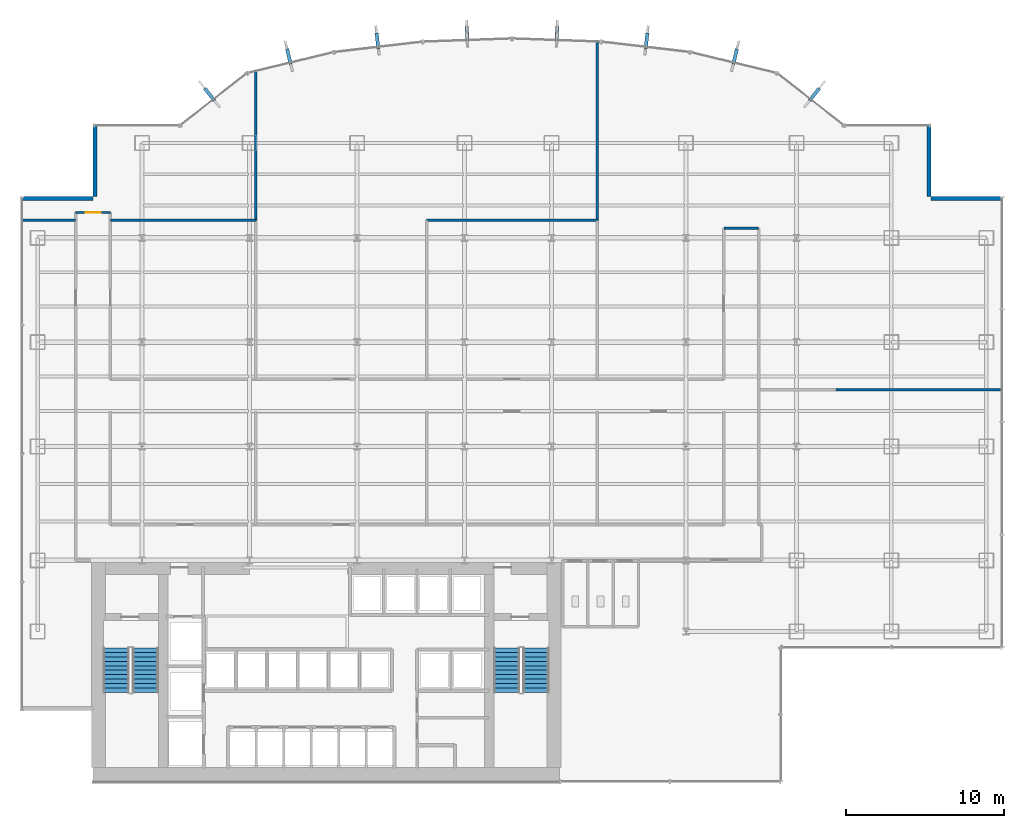
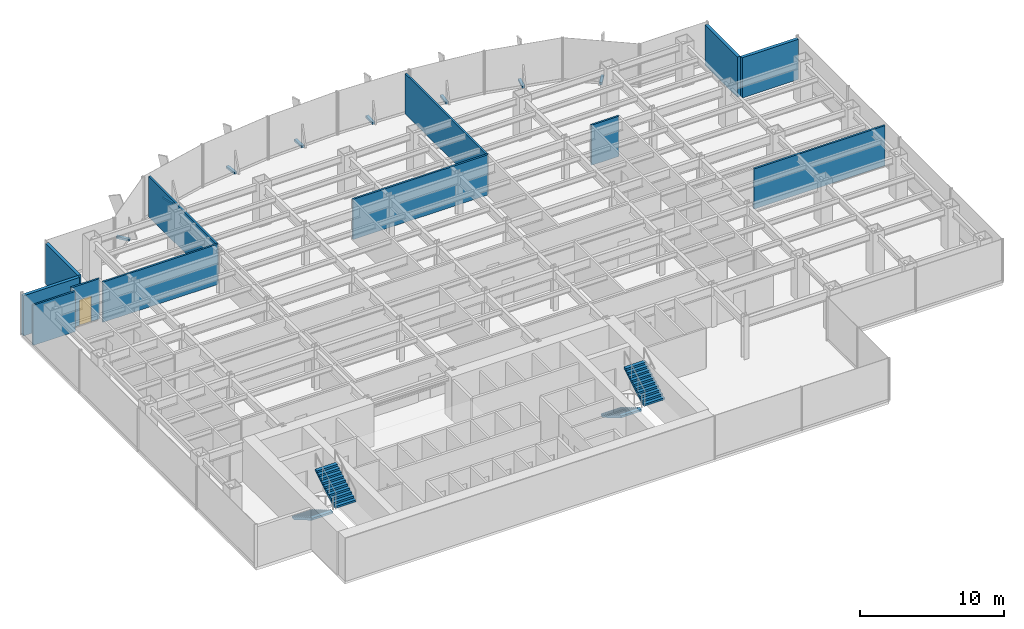
# One storey, part 19 of 22: 12 walls, 8 discrete accessories, 4 stair flights, 1 door, 1 opening, 2 elements without a shape of their own.
"""IFC4 building model written with IfcOpenShell, lengths in metres."""

from ifc_helpers import new_model, si_unit, derived_unit, direction, frame, frame_2d, origin, origin_2d, place, context, subcontext, project, spatial, polyline, rectangle, outline, extrude, source, transform, mapped, material, layer, layer_set, type_object, element, fill, aggregate, save


model = new_model("IFC4")

# Units and contexts
model_context = context("Model", 3, precision=1e-05, world=origin(), true_north=direction((0.0, 1.0)))
body_context = subcontext(model_context, "Body", "Model", "MODEL_VIEW")
ifc_project = project(units=[si_unit("LENGTHUNIT", "METRE"), si_unit("AREAUNIT", "SQUARE_METRE"), si_unit("VOLUMEUNIT", "CUBIC_METRE"), si_unit("PLANEANGLEUNIT", "RADIAN"), si_unit("MASSUNIT", "GRAM", prefix="KILO"), derived_unit("THERMALTRANSMITTANCEUNIT", [(si_unit("POWERUNIT", "WATT"), 1), (si_unit("LENGTHUNIT", "METRE"), -2), (si_unit("THERMODYNAMICTEMPERATUREUNIT", "KELVIN"), -1)])], contexts=[model_context])

# Site, building, storey
site_placement = place(None, origin())
site = spatial("IfcSite", under=ifc_project, at=site_placement, CompositionType="ELEMENT")
building_placement = place(site_placement, origin())
building = spatial("IfcBuilding", under=site, at=building_placement, Name="Skarnbrae Concourse Arena and Tower", CompositionType="ELEMENT")
storey_placement = place(building_placement, frame((0.0, 0.0, 69.0)))
storey = spatial("IfcBuildingStorey", under=building, at=storey_placement, Name="L16", CompositionType="ELEMENT", Elevation=69.0)

# Walls
ifc_material_1 = material(Name="Precast concrete 40 MPa (C40/50)", Category="concrete")
ifc_layer_1 = layer(ifc_material_1, 0.25)
ifc_layer_set_1 = layer_set([ifc_layer_1], Name="Precast concrete 40 MPa (C40/50)")
wall_type_1 = type_object("IfcWallType", Name="WALL-EXT-SPANDREL-250", PredefinedType="STANDARD", material=ifc_layer_set_1)
shared_shape_1 = source(origin(), body_context, "Body", "SweptSolid", [
    extrude(rectangle(XDim=4.5, YDim=0.25, at=frame_2d((2.25, 0.0))), origin(), (0.0, 0.0, 1.0), 3.39990234375),
])
for number, where, z_axis, x_axis, name in (
    (1, (62.0, 36.875, 0.0), (0.0, 0.0, 1.0), (-1.0, 0.0, 0.0), "L16 Notched corner insulated return wall 05"),
    (2, (57.375, 37.0, 0.0), (0.0, 0.0, 1.0), (0.0, 1.0, 0.0), "L16 Notched corner insulated return wall 06"),
    (3, (4.625, 41.5, 0.0), (0.0, 0.0, 1.0), (0.0, -1.0, 0.0), "L16 Notched corner insulated return wall 17"),
    (4, (4.5, 36.875, 0.0), (0.0, 0.0, 1.0), (-1.0, 0.0, 0.0), "L16 Notched corner insulated return wall 18"),
):
    element("IfcWall", number, at=place(storey_placement, frame(where, z_axis=z_axis, x_axis=x_axis)), inside=storey, type_object=wall_type_1, Name=name, PredefinedType="STANDARD", context=body_context, shape_type="MappedRepresentation", body=[
        mapped(shared_shape_1, transform((0.0, 0.0, 0.0))),
    ])

# Wall, opening, door
ifc_material_2 = material(Name="Gypsum board on cold-formed steel studs", Category="steel")
ifc_layer_2 = layer(ifc_material_2, 0.14990234375)
ifc_layer_set_2 = layer_set([ifc_layer_2], Name="Gypsum board on cold-formed steel studs")
wall_type_2 = type_object("IfcWallType", Name="WALL-PART-150-1HR", PredefinedType="PARTITIONING", material=ifc_layer_set_2)
shared_shape_2 = source(origin(), body_context, "Body", "SweptSolid", [
    extrude(rectangle(XDim=2.2001953125, YDim=0.14990234375, at=frame_2d((1.10009765625, 0.0))), origin(), (0.0, 0.0, 1.0), 3.39990234375),
])
wall_1_placement = place(storey_placement, frame((3.39990234375, 36.0, 0.0), z_axis=(0.0, 0.0, 1.0), x_axis=(1.0, 0.0, 0.0)))
wall_1 = element("IfcWall", 5, at=wall_1_placement, inside=storey, type_object=wall_type_2, Name="L16 Interior partition wall W-L16-COR-06", PredefinedType="PARTITIONING", context=body_context, shape_type="MappedRepresentation", body=[
    mapped(shared_shape_2, transform((0.0, 0.0, 0.0))),
])
opening_placement = place(wall_1_placement, frame((0.625, 0.0, 0.0)))
opening = element("IfcOpeningElement", 6, at=opening_placement, cuts=wall_1, Name="Opening DT-04", PredefinedType="OPENING", context=body_context, shape_type="SweptSolid", body=[
    extrude(rectangle(XDim=0.949951171875, YDim=2.14990234375, at=frame_2d((0.47509765625, 1.074951171875))), frame((0.0, 0.0849609375, 0.0), z_axis=(0.0, -1.0, 0.0), x_axis=(1.0, 0.0, 0.0)), (0.0, 0.0, 1.0), 0.169921875),
])
ifc_material_3 = material(Name="Steel CSA G40.21 350W", Category="steel")
door_type = type_object("IfcDoorType", Name="DOOR-INT-950-45M", OperationType="NOTDEFINED", PredefinedType="DOOR", material=ifc_material_3)
shared_shape_3 = source(origin(), body_context, "Body", "SweptSolid", [
    extrude(rectangle(XDim=0.949951171875, YDim=2.14990234375, at=frame_2d((0.47509765625, 1.074951171875))), frame((0.0, 0.02490234375, 0.0), z_axis=(0.0, -1.0, 0.0), x_axis=(1.0, 0.0, 0.0)), (0.0, 0.0, 1.0), 0.050048828125),
])
door_placement = place(opening_placement, origin())
door = element("IfcDoor", 7, at=door_placement, inside=storey, type_object=door_type, Name="D-0621 L16 Suite Door 02", OperationType="SINGLE_SWING_LEFT", OverallHeight=2.14990234375, OverallWidth=0.949951171875, PredefinedType="DOOR", context=body_context, shape_type="MappedRepresentation", body=[
    mapped(shared_shape_3, transform((0.0, 0.0, 0.0))),
])
fill(opening, door)

# Walls
wall_2_placement = place(storey_placement, frame((44.39990234375, 35.0, 0.0), z_axis=(0.0, 0.0, 1.0), x_axis=(1.0, 0.0, 0.0)))
element("IfcWall", 8, at=wall_2_placement, inside=storey, type_object=wall_type_2, Name="L16 Interior partition wall W-L16-COR-10", PredefinedType="PARTITIONING", context=body_context, shape_type="MappedRepresentation", body=[
    mapped(shared_shape_2, transform((0.0, 0.0, 0.0))),
])
ifc_layer_3 = layer(ifc_material_2, 0.14990234375)
ifc_layer_set_3 = layer_set([ifc_layer_3], Name="Gypsum board on cold-formed steel studs")
wall_type_3 = type_object("IfcWallType", Name="WALL-PART-150", PredefinedType="PARTITIONING", material=ifc_layer_set_3)
shared_shape_4 = source(origin(), body_context, "Body", "SweptSolid", [
    extrude(rectangle(XDim=3.3798828125, YDim=0.14990234375, at=frame_2d((1.68994140625, 0.0))), origin(), (0.0, 0.0, 1.0), 3.39990234375),
])
wall_3_placement = place(storey_placement, frame((0.02001953125, 35.5, 0.0), z_axis=(0.0, 0.0, 1.0), x_axis=(1.0, 0.0, 0.0)))
element("IfcWall", 9, at=wall_3_placement, inside=storey, type_object=wall_type_3, Name="L16 Interior partition wall W-L16-DEM-21", PredefinedType="PARTITIONING", context=body_context, shape_type="MappedRepresentation", body=[
    mapped(shared_shape_4, transform((0.0, 0.0, 0.0))),
])
shared_shape_5 = source(origin(), body_context, "Body", "SweptSolid", [
    extrude(rectangle(XDim=9.199951171875, YDim=0.14990234375, at=frame_2d((4.60009765625, 0.0))), origin(), (0.0, 0.0, 1.0), 3.39990234375),
])
wall_4_placement = place(storey_placement, frame((14.800048828125, 35.5, 0.0), z_axis=(0.0, 0.0, 1.0), x_axis=(-1.0, 0.0, 0.0)))
element("IfcWall", 10, at=wall_4_placement, inside=storey, type_object=wall_type_3, Name="L16 Interior partition wall W-L16-DEM-22", PredefinedType="PARTITIONING", context=body_context, shape_type="MappedRepresentation", body=[
    mapped(shared_shape_5, transform((0.0, 0.0, 0.0))),
])
shared_shape_6 = source(origin(), body_context, "Body", "SweptSolid", [
    extrude(rectangle(XDim=9.427978515625, YDim=0.14990234375, at=frame_2d((4.7138671875, 0.0))), origin(), (0.0, 0.0, 1.0), 3.39990234375),
])
wall_5_placement = place(storey_placement, frame((14.800048828125, 44.927978515625, 0.0), z_axis=(0.0, 0.0, 1.0), x_axis=(0.0, -1.0, 0.0)))
element("IfcWall", 11, at=wall_5_placement, inside=storey, type_object=wall_type_3, Name="L16 Interior partition wall W-L16-DEM-25", PredefinedType="PARTITIONING", context=body_context, shape_type="MappedRepresentation", body=[
    mapped(shared_shape_6, transform((0.0, 0.0, 0.0))),
])
shared_shape_7 = source(origin(), body_context, "Body", "SweptSolid", [
    extrude(rectangle(XDim=10.7998046875, YDim=0.14990234375, at=frame_2d((5.39990234375, 0.0))), origin(), (0.0, 0.0, 1.0), 3.39990234375),
])
wall_6_placement = place(storey_placement, frame((36.39990234375, 35.5, 0.0), z_axis=(0.0, 0.0, 1.0), x_axis=(-1.0, 0.0, 0.0)))
element("IfcWall", 12, at=wall_6_placement, inside=storey, type_object=wall_type_3, Name="L16 Interior partition wall W-L16-DEM-27", PredefinedType="PARTITIONING", context=body_context, shape_type="MappedRepresentation", body=[
    mapped(shared_shape_7, transform((0.0, 0.0, 0.0))),
])
shared_shape_8 = source(origin(), body_context, "Body", "SweptSolid", [
    extrude(rectangle(XDim=11.285888671875, YDim=0.14990234375, at=frame_2d((5.64306640625, 0.0))), origin(), (0.0, 0.0, 1.0), 3.39990234375),
])
wall_7_placement = place(storey_placement, frame((36.39990234375, 46.785888671875, 0.0), z_axis=(0.0, 0.0, 1.0), x_axis=(0.0, -1.0, 0.0)))
element("IfcWall", 13, at=wall_7_placement, inside=storey, type_object=wall_type_3, Name="L16 Interior partition wall W-L16-DEM-31", PredefinedType="PARTITIONING", context=body_context, shape_type="MappedRepresentation", body=[
    mapped(shared_shape_8, transform((0.0, 0.0, 0.0))),
])
shared_shape_9 = source(origin(), body_context, "Body", "SweptSolid", [
    extrude(rectangle(XDim=10.47998046875, YDim=0.14990234375, at=frame_2d((5.239990234375, 0.0))), origin(), (0.0, 0.0, 1.0), 3.39990234375),
])
wall_8_placement = place(storey_placement, frame((61.97998046875, 24.800048828125, 0.0), z_axis=(0.0, 0.0, 1.0), x_axis=(-1.0, 0.0, 0.0)))
element("IfcWall", 14, at=wall_8_placement, inside=storey, type_object=wall_type_3, Name="L16 Interior partition wall W-L16-DEM-32", PredefinedType="PARTITIONING", context=body_context, shape_type="MappedRepresentation", body=[
    mapped(shared_shape_9, transform((0.0, 0.0, 0.0))),
])

# Stair, stair flights
ifc_material_4 = material(Name="Concrete 40 MPa (C40/50)", Category="concrete")
stair_type = type_object("IfcStairType", Name="STAIR-DOGLEG-1650", PredefinedType="HALF_TURN_STAIR", material=ifc_material_4)
stair_1_placement = place(storey_placement, origin())
stair_1 = element("IfcStair", 15, at=stair_1_placement, inside=storey, type_object=stair_type, Name="L16 Protected Exit Stair ST-1", PredefinedType="HALF_TURN_STAIR")
stair_flight_type = type_object("IfcStairFlightType", Name="FLIGHT-STRAIGHT-1650", PredefinedType="STRAIGHT", material=ifc_material_4)
shared_shape_10 = source(origin(), body_context, "Body", "SweptSolid", [
    extrude(outline(polyline([(0.0, 0.0), (0.0, 0.166015625), (0.280029296875, 0.166015625), (0.280029296875, 0.331787109375), (0.56005859375, 0.331787109375), (0.56005859375, 0.497802734375), (0.840087890625, 0.497802734375), (0.840087890625, 0.66357421875), (1.1201171875, 0.66357421875), (1.1201171875, 0.82958984375), (1.39990234375, 0.82958984375), (1.39990234375, 0.995361328125), (1.679931640625, 0.995361328125), (1.679931640625, 1.161376953125), (1.9599609375, 1.161376953125), (1.9599609375, 1.327392578125), (2.239990234375, 1.327392578125), (2.239990234375, 1.4931640625), (2.52001953125, 1.4931640625), (2.52001953125, 1.6591796875), (2.800048828125, 1.6591796875), (2.800048828125, 1.824951171875), (2.800048828125, 1.48486328125), (0.2939453125, 0.0), (0.0, 0.0)])), frame((0.0, 0.824951171875, 0.0), z_axis=(0.0, -1.0, 0.0), x_axis=(1.0, 0.0, 0.0)), (0.0, 0.0, 1.0), 1.64990234375),
])
stair_flight_1_placement = place(storey_placement, frame((5.97509765625, 8.449951171875, 0.0), z_axis=(0.0, 0.0, 1.0), x_axis=(0.0, -1.0, 0.0)))
stair_flight_1 = element("IfcStairFlight", 16, at=stair_flight_1_placement, type_object=stair_flight_type, Name="ST-1 flight 1", NumberOfRisers=11, NumberOfTreads=10, PredefinedType="STRAIGHT", RiserHeight=0.165909091, TreadLength=0.28, context=body_context, shape_type="MappedRepresentation", body=[
    mapped(shared_shape_10, transform((0.0, 0.0, 0.0))),
])
stair_flight_2_placement = place(storey_placement, frame((7.824951171875, 5.64990234375, 1.824951171875), z_axis=(0.0, 0.0, 1.0), x_axis=(0.0, 1.0, 0.0)))
stair_flight_2 = element("IfcStairFlight", 17, at=stair_flight_2_placement, type_object=stair_flight_type, Name="ST-1 flight 2", NumberOfRisers=11, NumberOfTreads=10, PredefinedType="STRAIGHT", RiserHeight=0.165909091, TreadLength=0.28, context=body_context, shape_type="MappedRepresentation", body=[
    mapped(shared_shape_10, transform((0.0, 0.0, 0.0))),
])
aggregate(stair_1, [stair_flight_1, stair_flight_2])

stair_2_placement = place(storey_placement, origin())
stair_2 = element("IfcStair", 18, at=stair_2_placement, inside=storey, type_object=stair_type, Name="L16 Protected Exit Stair ST-2", PredefinedType="HALF_TURN_STAIR")
stair_flight_3_placement = place(storey_placement, frame((30.675048828125, 8.449951171875, 0.0), z_axis=(0.0, 0.0, 1.0), x_axis=(0.0, -1.0, 0.0)))
stair_flight_3 = element("IfcStairFlight", 19, at=stair_flight_3_placement, type_object=stair_flight_type, Name="ST-2 flight 1", NumberOfRisers=11, NumberOfTreads=10, PredefinedType="STRAIGHT", RiserHeight=0.165909091, TreadLength=0.28, context=body_context, shape_type="MappedRepresentation", body=[
    mapped(shared_shape_10, transform((0.0, 0.0, 0.0))),
])
stair_flight_4_placement = place(storey_placement, frame((32.52490234375, 5.64990234375, 1.824951171875), z_axis=(0.0, 0.0, 1.0), x_axis=(0.0, 1.0, 0.0)))
stair_flight_4 = element("IfcStairFlight", 20, at=stair_flight_4_placement, type_object=stair_flight_type, Name="ST-2 flight 2", NumberOfRisers=11, NumberOfTreads=10, PredefinedType="STRAIGHT", RiserHeight=0.165909091, TreadLength=0.28, context=body_context, shape_type="MappedRepresentation", body=[
    mapped(shared_shape_10, transform((0.0, 0.0, 0.0))),
])
aggregate(stair_2, [stair_flight_3, stair_flight_4])

# Discrete accessories
ifc_material_5 = material(Name="Bronze anodised aluminium 6063-T6", Category="aluminium")
discrete_accessory_type = type_object("IfcDiscreteAccessoryType", Name="ACC-FIN-BRACKET", PredefinedType="BRACKET", material=ifc_material_5)
shared_shape_11 = source(origin(), body_context, "Body", "SweptSolid", [
    extrude(rectangle(XDim=0.219970703125, YDim=0.97998046875, at=origin_2d()), origin(), (0.0, 0.0, 1.0), 0.179931640625),
])
for number, where, z_axis, x_axis, name in (
    (21, (50.129638671875, 43.470947265625, -0.02978515625), (0.0, 0.0, 1.0), (0.787656027369, -0.616115234797, 0.0), "L16 Bronze fin foot support bracket 08"),
    (22, (45.11328125, 45.864990234375, -0.02978515625), (0.0, 0.0, 1.0), (0.971973311258, -0.235091221021, 0.0), "L16 Bronze fin foot support bracket 09"),
    (23, (39.509521484375, 46.865966796875, -0.02978515625), (0.0, 0.0, 1.0), (0.993243759876, -0.116046686587, 0.0), "L16 Bronze fin foot support bracket 10"),
    (24, (33.84130859375, 47.298095703125, -0.02978515625), (0.0, 0.0, 1.0), (0.999355613141, -0.035893710914, 0.0), "L16 Bronze fin foot support bracket 11"),
    (25, (28.15869140625, 47.298095703125, -0.02978515625), (0.0, 0.0, 1.0), (0.999355613141, 0.035893710914, 0.0), "L16 Bronze fin foot support bracket 12"),
    (26, (22.490478515625, 46.865966796875, -0.02978515625), (0.0, 0.0, 1.0), (0.993243759876, 0.116046686587, 0.0), "L16 Bronze fin foot support bracket 13"),
    (27, (16.88671875, 45.864990234375, -0.02978515625), (0.0, 0.0, 1.0), (0.971973311258, 0.235091221021, 0.0), "L16 Bronze fin foot support bracket 14"),
    (28, (11.870361328125, 43.470947265625, -0.02978515625), (0.0, 0.0, 1.0), (0.787656027369, 0.616115234797, 0.0), "L16 Bronze fin foot support bracket 15"),
):
    element("IfcDiscreteAccessory", number, at=place(storey_placement, frame(where, z_axis=z_axis, x_axis=x_axis)), inside=storey, type_object=discrete_accessory_type, Name=name, PredefinedType="BRACKET", context=body_context, shape_type="MappedRepresentation", body=[
        mapped(shared_shape_11, transform((0.0, 0.0, 0.0))),
    ])

save(model, "model.ifc")
